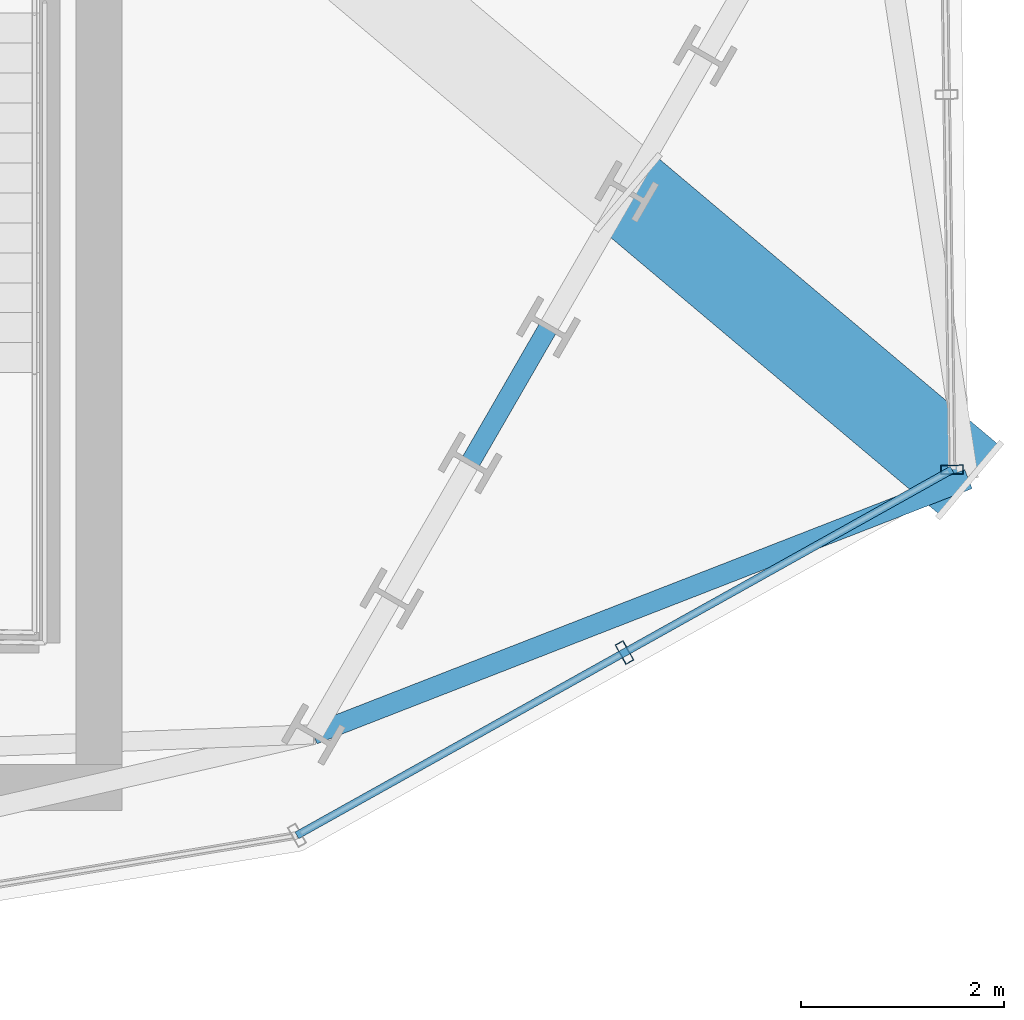
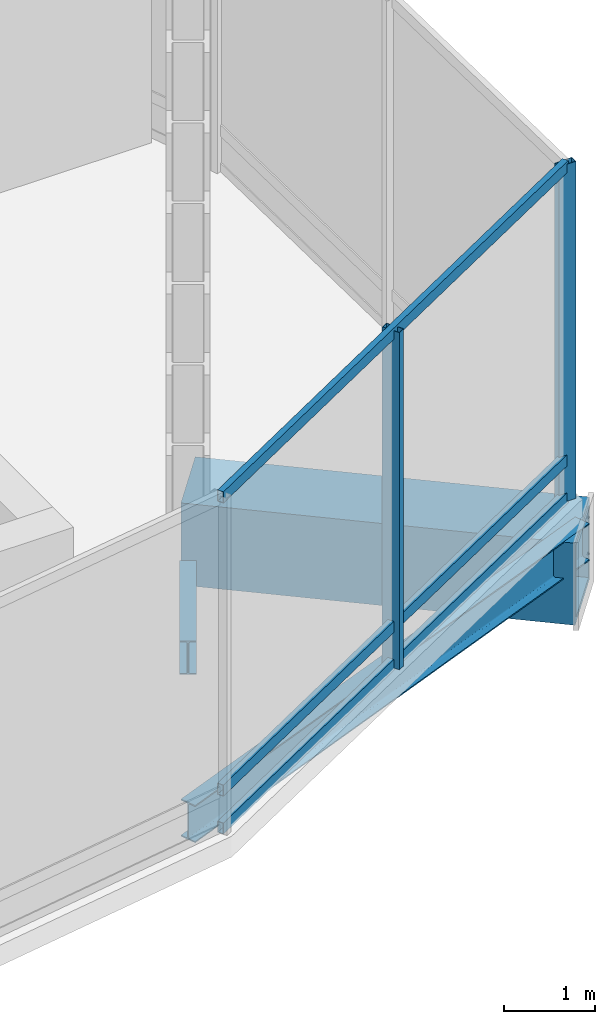
# One storey, part 10 of 26: 5 members, 3 beams, 2 elements without a shape of their own.
"""IFC4 building model written with IfcOpenShell, lengths in metres."""

from ifc_helpers import new_model, si_unit, direction, frame, origin, origin_2d, place, context, subcontext, project, spatial, hollow_rectangle, i_section, extrude, material, layer, layer_set, material_profile, profile_set, type_object, element, aggregate, save


model = new_model("IFC4")

# Units and contexts
model_context = context("Model", 3, precision=1e-05, world=origin(), true_north=direction((0.0, 1.0)))
body_context = subcontext(model_context, "Body", "Model", "MODEL_VIEW")
ifc_project = project(units=[si_unit("LENGTHUNIT", "METRE"), si_unit("AREAUNIT", "SQUARE_METRE"), si_unit("VOLUMEUNIT", "CUBIC_METRE"), si_unit("PLANEANGLEUNIT", "RADIAN"), si_unit("MASSUNIT", "GRAM", prefix="KILO")], contexts=[model_context])

# Site, building, storey
site_placement = place(None, origin())
site = spatial("IfcSite", under=ifc_project, at=site_placement, CompositionType="ELEMENT")
building_placement = place(site_placement, origin())
building = spatial("IfcBuilding", under=site, at=building_placement, Name="Ndaravel Arena Tower", CompositionType="ELEMENT")
storey_placement = place(building_placement, frame((0.0, 0.0, 117.39990234375)))
storey = spatial("IfcBuildingStorey", under=building, at=storey_placement, Name="L27", CompositionType="ELEMENT", Elevation=117.39990234375)

# Beams
ifc_material_1 = material(Name="Steel S355", Category="steel")
ifc_material_profile_1 = material_profile(ifc_material_1, i_section(OverallWidth=0.18994140625, OverallDepth=0.449951171875, WebThickness=0.009521484375, FlangeThickness=0.0146484375, FilletRadius=0.02099609375, at=origin_2d()), Name="IPE 450")
ifc_profile_set_1 = profile_set([ifc_material_profile_1], Name="Steel S355")
beam_type_1 = type_object("IfcBeamType", Name="BM-SPAN-IPE450", PredefinedType="SPANDREL", material=ifc_profile_set_1)
beam_1_placement = place(storey_placement, frame((60.979248046875, 8.8212890625, -0.5048828125), z_axis=(0.499882215713, 0.866093395895, 0.0), x_axis=(-0.866093395895, 0.499882215713, 0.0)))
element("IfcBeam", 1, at=beam_1_placement, inside=storey, type_object=beam_type_1, Name="L27 Perimeter Spandrel Beam SP-04", PredefinedType="SPANDREL", context=body_context, shape_type="SweptSolid", body=[
    extrude(i_section(OverallWidth=0.18994140625, OverallDepth=0.449951171875, WebThickness=0.009521484375, FlangeThickness=0.0146484375, FilletRadius=0.02099609375, at=origin_2d()), origin(), (0.0, 0.0, 1.0), 1.543212890625),
])
ifc_material_2 = material(Name="Steel S355", Category="steel")
ifc_material_profile_2 = material_profile(ifc_material_2, i_section(OverallWidth=0.199951171875, OverallDepth=0.5, WebThickness=0.01025390625, FlangeThickness=0.01611328125, FilletRadius=0.02099609375, at=origin_2d()), Name="IPE 500")
ifc_profile_set_2 = profile_set([ifc_material_profile_2], Name="Steel S355")
beam_type_2 = type_object("IfcBeamType", Name="BM-SPAN-IPE500", PredefinedType="SPANDREL", material=ifc_profile_set_2)
beam_2_placement = place(storey_placement, frame((59.435791015625, 6.148193359375, -0.52978515625), z_axis=(0.931780800221, 0.363021404794, 0.0), x_axis=(-0.363021404794, 0.931780800221, 0.0)))
element("IfcBeam", 2, at=beam_2_placement, inside=storey, type_object=beam_type_2, Name="L27 Star Facet Edge Beam SEA-3", PredefinedType="SPANDREL", context=body_context, shape_type="SweptSolid", body=[
    extrude(i_section(OverallWidth=0.199951171875, OverallDepth=0.5, WebThickness=0.01025390625, FlangeThickness=0.01611328125, FilletRadius=0.02099609375, at=origin_2d()), origin(), (0.0, 0.0, 1.0), 6.9228515625),
])
ifc_material_3 = material(Name="Steel S460", Category="steel")
ifc_material_profile_3 = material_profile(ifc_material_3, hollow_rectangle(XDim=0.89990234375, YDim=1.10009765625, WallThickness=0.06494140625, at=origin_2d()), Name="BOX 1100x900x65")
ifc_profile_set_3 = profile_set([ifc_material_profile_3], Name="Steel S460")
beam_type_3 = type_object("IfcBeamType", Name="BM-STAR-BOX1100", PredefinedType="BEAM", material=ifc_profile_set_3)
beam_3_placement = place(storey_placement, frame((62.5224609375, 11.49462890625, -0.829833984375), z_axis=(0.764866572693, -0.644188734749, 0.0), x_axis=(0.644188734749, 0.764866572693, 0.0)))
element("IfcBeam", 3, at=beam_3_placement, inside=storey, type_object=beam_type_3, Name="L27 Star Cantilever Tip Girder SCG-3", PredefinedType="BEAM", context=body_context, shape_type="SweptSolid", body=[
    extrude(hollow_rectangle(XDim=0.89990234375, YDim=1.10009765625, WallThickness=0.06494140625, at=origin_2d()), origin(), (0.0, 0.0, 1.0), 4.398193359375),
])

# Curtain wall, member
ifc_material_4 = material(Name="Aluminium", Category="aluminium")
ifc_layer = layer(ifc_material_4, 0.179931640625)
ifc_layer_set = layer_set([ifc_layer], Name="Aluminium")
curtain_wall_type = type_object("IfcCurtainWallType", Name="CW-SYS-04", PredefinedType="NOTDEFINED", material=ifc_layer_set)
curtain_wall_1_placement = place(storey_placement, origin())
curtain_wall_1 = element("IfcCurtainWall", 4, at=curtain_wall_1_placement, inside=storey, type_object=curtain_wall_type, Name="L27 Faceted Crystal Curtain Wall CW-L27-E04", PredefinedType="NOTDEFINED")
ifc_material_5 = material(Name="Aluminium", Category="aluminium")
ifc_material_profile_4 = material_profile(ifc_material_5, hollow_rectangle(XDim=0.090087890625, YDim=0.219970703125, WallThickness=0.0048828125, at=origin_2d()), Name="CW MULLION 90x220x5")
ifc_profile_set_4 = profile_set([ifc_material_profile_4], Name="Aluminium")
member_type_1 = type_object("IfcMemberType", Name="MEM-CW-MUL220", PredefinedType="MULLION", material=ifc_profile_set_4)
member_1_placement = place(storey_placement, frame((62.499267578125, 6.953857421875, 0.0), z_axis=(0.0, 0.0, 1.0), x_axis=(0.87317740032, 0.487402531354, 0.0)))
member_1 = element("IfcMember", 5, at=member_1_placement, type_object=member_type_1, Name="CW-L27-E04 Mullion 01", PredefinedType="MULLION", context=body_context, shape_type="SweptSolid", body=[
    extrude(hollow_rectangle(XDim=0.090087890625, YDim=0.219970703125, WallThickness=0.0048828125, at=origin_2d()), origin(), (0.0, 0.0, 1.0), 4.52001953125),
])

curtain_wall_2_placement = place(storey_placement, origin())
curtain_wall_2 = element("IfcCurtainWall", 6, at=curtain_wall_2_placement, inside=storey, type_object=curtain_wall_type, Name="L27 Faceted Crystal Curtain Wall CW-L27-E05", PredefinedType="NOTDEFINED")
member_2_placement = place(storey_placement, frame((65.72509765625, 8.75439453125, 0.0), z_axis=(0.0, 0.0, 1.0), x_axis=(-0.014503177598, 0.999894823389, 0.0)))
member_2 = element("IfcMember", 7, at=member_2_placement, type_object=member_type_1, Name="CW-L27-E05 Mullion 00", PredefinedType="MULLION", context=body_context, shape_type="SweptSolid", body=[
    extrude(hollow_rectangle(XDim=0.090087890625, YDim=0.219970703125, WallThickness=0.0048828125, at=origin_2d()), origin(), (0.0, 0.0, 1.0), 4.52001953125),
])
aggregate(curtain_wall_2, [member_2])

# Member
ifc_material_6 = material(Name="Aluminium", Category="aluminium")
ifc_material_profile_5 = material_profile(ifc_material_6, hollow_rectangle(XDim=0.074951171875, YDim=0.14990234375, WallThickness=0.00390625, at=origin_2d()), Name="CW TRANSOM 75x150x4")
ifc_profile_set_5 = profile_set([ifc_material_profile_5], Name="Aluminium")
member_type_2 = type_object("IfcMemberType", Name="MEM-CW-TRN150", PredefinedType="USERDEFINED", material=ifc_profile_set_5)
member_3_placement = place(storey_placement, frame((59.2734375, 5.1533203125, 0.0400390625), z_axis=(0.873189199321, 0.487381392946, 0.0), x_axis=(-0.487381392946, 0.873189199321, 0.0)))
member_3 = element("IfcMember", 8, at=member_3_placement, type_object=member_type_2, Name="CW-L27-E04 Transom 01", ObjectType="TRANSOM", PredefinedType="USERDEFINED", context=body_context, shape_type="SweptSolid", body=[
    extrude(hollow_rectangle(XDim=0.074951171875, YDim=0.14990234375, WallThickness=0.00390625, at=origin_2d()), origin(), (0.0, 0.0, 1.0), 7.388671875),
])

member_4_placement = place(storey_placement, frame((59.2734375, 5.1533203125, 0.550048828125), z_axis=(0.873189199321, 0.487381392946, 0.0), x_axis=(-0.487381392946, 0.873189199321, 0.0)))
member_4 = element("IfcMember", 9, at=member_4_placement, type_object=member_type_2, Name="CW-L27-E04 Transom 02", ObjectType="TRANSOM", PredefinedType="USERDEFINED", context=body_context, shape_type="SweptSolid", body=[
    extrude(hollow_rectangle(XDim=0.074951171875, YDim=0.14990234375, WallThickness=0.00390625, at=origin_2d()), origin(), (0.0, 0.0, 1.0), 7.388671875),
])

member_5_placement = place(storey_placement, frame((59.2734375, 5.1533203125, 4.47998046875), z_axis=(0.873189199321, 0.487381392946, 0.0), x_axis=(-0.487381392946, 0.873189199321, 0.0)))
member_5 = element("IfcMember", 10, at=member_5_placement, type_object=member_type_2, Name="CW-L27-E04 Transom 03", ObjectType="TRANSOM", PredefinedType="USERDEFINED", context=body_context, shape_type="SweptSolid", body=[
    extrude(hollow_rectangle(XDim=0.074951171875, YDim=0.14990234375, WallThickness=0.00390625, at=origin_2d()), origin(), (0.0, 0.0, 1.0), 7.388671875),
])

aggregate(curtain_wall_1, [member_1, member_3, member_4, member_5])

save(model, "model.ifc")
